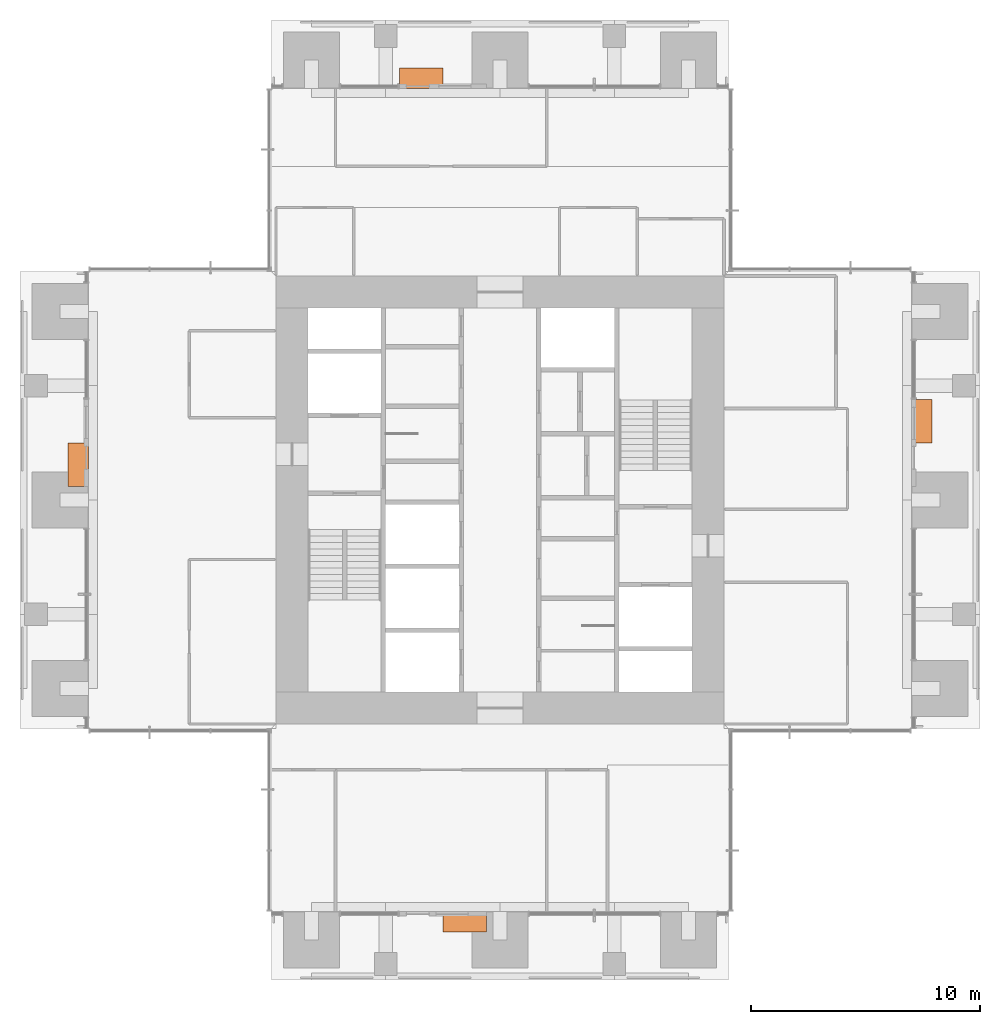
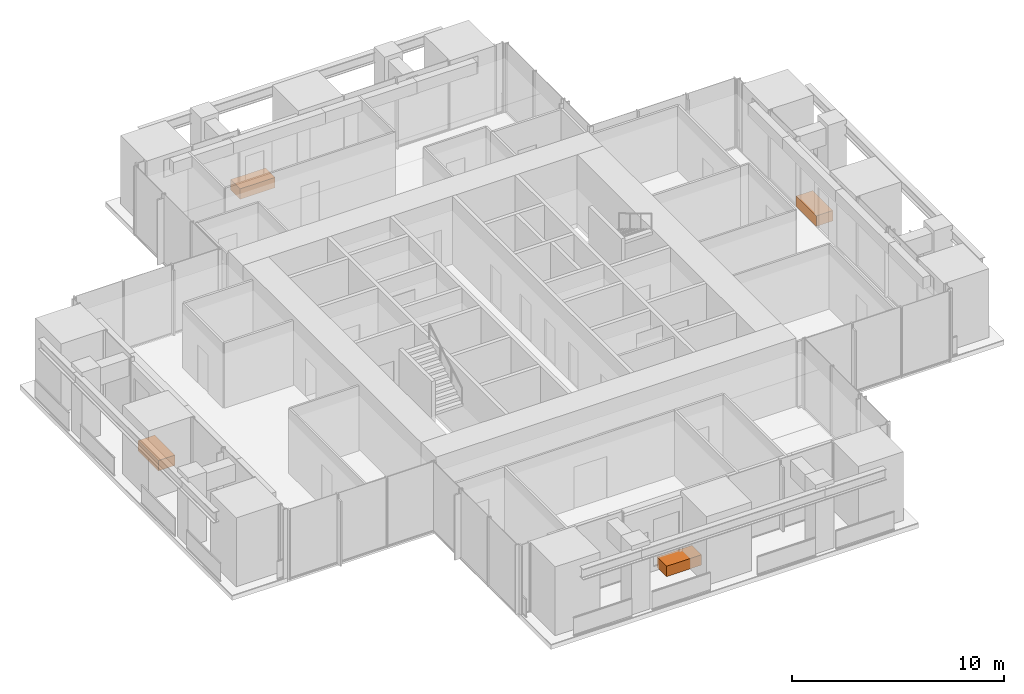
# One storey, part 17 of 17: 4 proxies.
"""IFC4 building model written with IfcOpenShell, lengths in metres."""

from ifc_helpers import new_model, si_unit, direction, frame, origin, origin_2d, place, context, subcontext, project, spatial, rectangle, extrude, element, save


model = new_model("IFC4")

# Units and contexts
model_context = context("Model", 3, precision=1e-05, world=origin(), true_north=direction((0.0, 1.0)))
body_context = subcontext(model_context, "Body", "Model", "MODEL_VIEW")
ifc_project = project(units=[si_unit("LENGTHUNIT", "METRE"), si_unit("AREAUNIT", "SQUARE_METRE"), si_unit("VOLUMEUNIT", "CUBIC_METRE"), si_unit("PLANEANGLEUNIT", "RADIAN"), si_unit("MASSUNIT", "GRAM", prefix="KILO")], contexts=[model_context])

# Site, building, storey
site_placement = place(None, origin())
site = spatial("IfcSite", under=ifc_project, at=site_placement, CompositionType="ELEMENT")
building_placement = place(site_placement, origin())
building = spatial("IfcBuilding", under=site, at=building_placement, Name="Svetlomir Tower", CompositionType="ELEMENT")
storey_placement = place(building_placement, frame((0.0, 0.0, 174.5)))
storey = spatial("IfcBuildingStorey", under=building, at=storey_placement, Name="L41", CompositionType="ELEMENT", Elevation=174.5)

# Proxies
proxy_1_placement = place(storey_placement, frame((19.449951171875, 2.550048828125, 0.0400390625), z_axis=(0.0, 0.0, 1.0), x_axis=(1.0, 0.0, 0.0)))
element("IfcBuildingElementProxy", 1, at=proxy_1_placement, inside=storey, Name="Tree planter S L41", ObjectType="PLANTER", PredefinedType="USERDEFINED", context=body_context, shape_type="SweptSolid", body=[
    extrude(rectangle(XDim=1.89990234375, YDim=0.89990234375, at=origin_2d()), origin(), (0.0, 0.0, 1.0), 0.60009765625),
])
proxy_2_placement = place(storey_placement, frame((39.449951171875, 24.449951171875, 0.0400390625), z_axis=(0.0, 0.0, 1.0), x_axis=(1.0, 0.0, 0.0)))
element("IfcBuildingElementProxy", 2, at=proxy_2_placement, inside=storey, Name="Tree planter E L41", ObjectType="PLANTER", PredefinedType="USERDEFINED", context=body_context, shape_type="SweptSolid", body=[
    extrude(rectangle(XDim=0.89990234375, YDim=1.89990234375, at=origin_2d()), origin(), (0.0, 0.0, 1.0), 0.60009765625),
])
proxy_3_placement = place(storey_placement, frame((17.550048828125, 39.449951171875, 0.0400390625), z_axis=(0.0, 0.0, 1.0), x_axis=(1.0, 0.0, 0.0)))
element("IfcBuildingElementProxy", 3, at=proxy_3_placement, inside=storey, Name="Tree planter N L41", ObjectType="PLANTER", PredefinedType="USERDEFINED", context=body_context, shape_type="SweptSolid", body=[
    extrude(rectangle(XDim=1.89990234375, YDim=0.89990234375, at=origin_2d()), origin(), (0.0, 0.0, 1.0), 0.60009765625),
])
proxy_4_placement = place(storey_placement, frame((2.550048828125, 22.550048828125, 0.0400390625), z_axis=(0.0, 0.0, 1.0), x_axis=(1.0, 0.0, 0.0)))
element("IfcBuildingElementProxy", 4, at=proxy_4_placement, inside=storey, Name="Tree planter W L41", ObjectType="PLANTER", PredefinedType="USERDEFINED", context=body_context, shape_type="SweptSolid", body=[
    extrude(rectangle(XDim=0.89990234375, YDim=1.89990234375, at=origin_2d()), origin(), (0.0, 0.0, 1.0), 0.60009765625),
])

save(model, "model.ifc")
